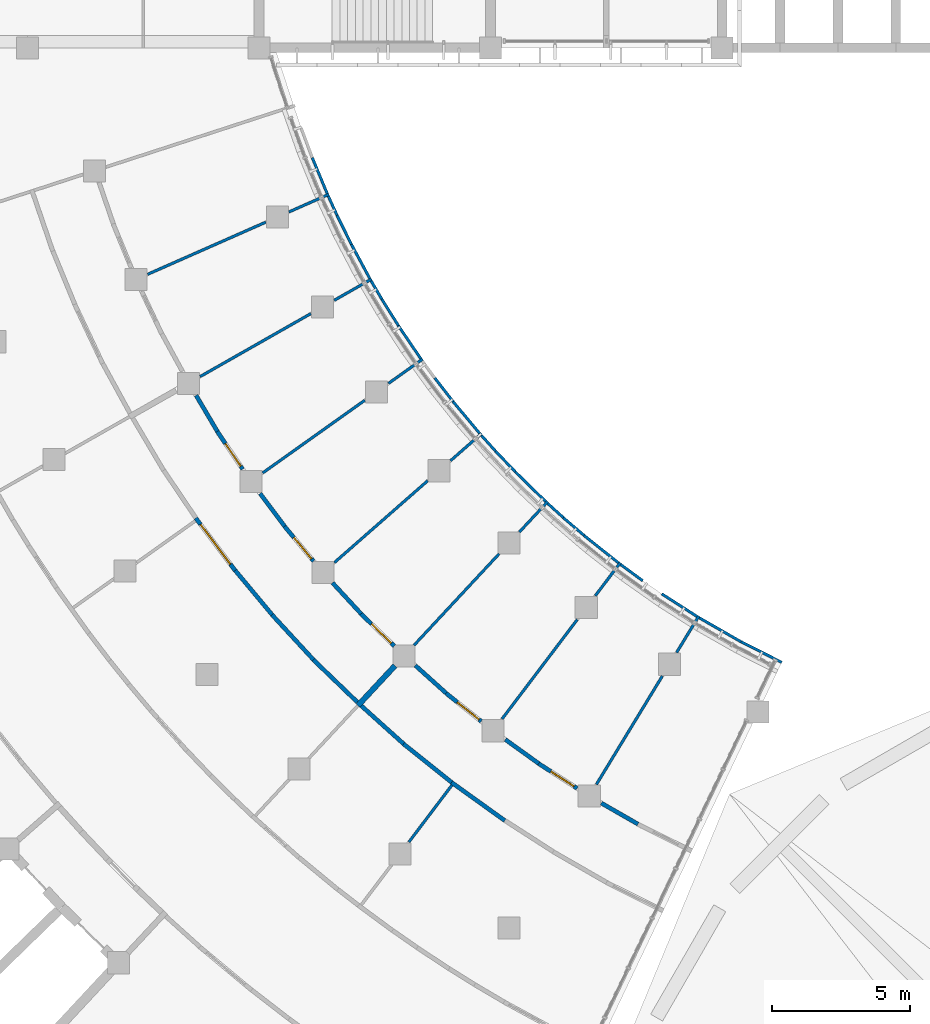
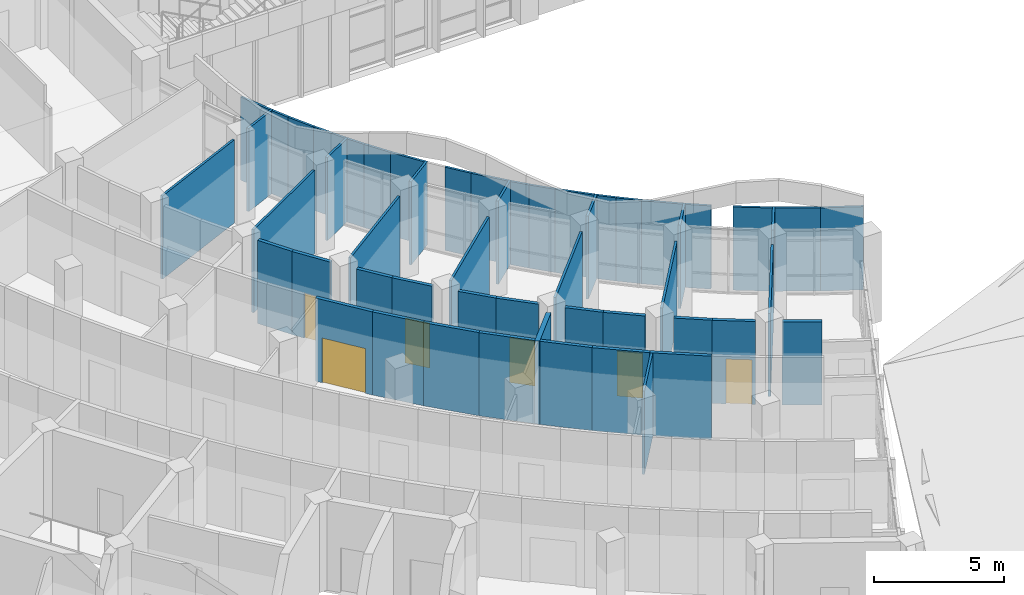
# One storey, part 72 of 137: 53 walls, 6 doors, 6 openings.
"""IFC4 building model written with IfcOpenShell, lengths in metres."""

import ifcopenshell
import ifcopenshell.guid

model = None  # the IFC model being written
_history = None  # IfcOwnerHistory: only IFC2X3 demands one
_inside = {}  # id of a spatial element -> (the spatial element, [elements in it])
_under = {}  # id of a project, library or spatial element -> (it, [spatial elements below it])
_declared = {}  # id of a project -> (the project, [libraries it declares])
_typed = {}  # id of a type object -> (the type object, [elements of that type])
_made_of = {}  # id of a material, layer set ... -> (it, [elements and type objects made of it])


def new_model(schema):
    """Start an empty IFC model of exactly this schema.

    Asked for "IFC4X3", IfcOpenShell would pick the latest addendum, in which some entities
    have other attributes; the version numbers below select the first issue.
    IFC2X3 requires an IfcOwnerHistory on every rooted entity: one is made here for all.
    """
    global model, _history
    if schema == "IFC4X3":
        model = ifcopenshell.file(schema_version=(4, 3, 0, 0))
    else:
        model = ifcopenshell.file(schema=schema)
    _inside.clear()
    _under.clear()
    _declared.clear()
    _typed.clear()
    _made_of.clear()
    _history = None
    if model.schema == "IFC2X3":
        org = make("IfcOrganization", Name="unknown")
        user = make(
            "IfcPersonAndOrganization",
            ThePerson=make("IfcPerson", FamilyName="unknown"),
            TheOrganization=org,
        )
        app = make(
            "IfcApplication",
            ApplicationDeveloper=org,
            Version="unknown",
            ApplicationFullName="unknown",
            ApplicationIdentifier="unknown",
        )
        _history = make(
            "IfcOwnerHistory",
            OwningUser=user,
            OwningApplication=app,
            ChangeAction="ADDED",
            CreationDate=0,
        )
    return model


def make(cls, **values):
    """One entity of the class cls with the attributes given. An attribute that is None is left unset."""
    return model.create_entity(
        cls, **{name: value for name, value in values.items() if value is not None}
    )


def rooted(cls, **values):
    """An entity with a GlobalId (a new one), such as an element, a storey or a relation."""
    return make(cls, GlobalId=ifcopenshell.guid.new(), OwnerHistory=_history, **values)


def si_unit(unit_type, name, prefix=None):
    """IfcSIUnit, for example si_unit("LENGTHUNIT", "METRE", prefix="MILLI")."""
    return make("IfcSIUnit", UnitType=unit_type, Prefix=prefix, Name=name)


def assignment(units):
    """IfcUnitAssignment: the units of a project."""
    return None if units is None else make("IfcUnitAssignment", Units=units)


def point(xyz):
    """IfcCartesianPoint."""
    return None if xyz is None else make("IfcCartesianPoint", Coordinates=xyz)


def direction(xyz):
    """IfcDirection."""
    return None if xyz is None else make("IfcDirection", DirectionRatios=xyz)


def frame(location, z_axis=None, x_axis=None):
    """IfcAxis2Placement3D, a coordinate frame: its origin and axes. An axis left out is left unset."""
    return make(
        "IfcAxis2Placement3D",
        Location=point(location),
        Axis=direction(z_axis),
        RefDirection=direction(x_axis),
    )


def frame_2d(location, x_axis=None):
    """IfcAxis2Placement2D, a coordinate frame in the plane: its origin and x axis."""
    return make(
        "IfcAxis2Placement2D", Location=point(location), RefDirection=direction(x_axis)
    )


def origin():
    """The frame at (0, 0, 0) with its axes left unset."""
    return frame((0.0, 0.0, 0.0))


def place(relative_to, where):
    """IfcLocalPlacement: puts the frame where relative to a parent placement (None: the world)."""
    return make(
        "IfcLocalPlacement", PlacementRelTo=relative_to, RelativePlacement=where
    )


def context(
    kind, dimensions, precision=None, world=None, true_north=None, identifier=None
):
    """IfcGeometricRepresentationContext, for example the 3D "Model" context."""
    return make(
        "IfcGeometricRepresentationContext",
        ContextIdentifier=identifier,
        ContextType=kind,
        CoordinateSpaceDimension=dimensions,
        Precision=precision,
        WorldCoordinateSystem=world,
        TrueNorth=true_north,
    )


def subcontext(parent, identifier, kind, view, scale=None):
    """IfcGeometricRepresentationSubContext, for example "Body" below "Model"."""
    return make(
        "IfcGeometricRepresentationSubContext",
        ContextIdentifier=identifier,
        ContextType=kind,
        ParentContext=parent,
        TargetScale=scale,
        TargetView=view,
    )


def project(units=None, contexts=None):
    """IfcProject with its units and contexts."""
    return rooted(
        "IfcProject",
        Name="project",
        RepresentationContexts=contexts,
        UnitsInContext=assignment(units),
    )


def spatial(cls, under=None, at=None, **own):
    """A site, building, storey or space (cls), placed at a placement, below another one or the project."""
    s = rooted(cls, ObjectPlacement=at, **own)
    if under is not None:
        _under.setdefault(under.id(), (under, []))[1].append(s)
    return s


def profile(cls, at=None, kind="AREA", **sizes):
    """A parametric profile (cls). Its sizes go by their IFC names, for example OverallWidth=200.0."""
    return make(cls, ProfileType=kind, Position=at, **sizes)


def rectangle(**sizes):
    """IfcRectangleProfileDef."""
    return profile("IfcRectangleProfileDef", **sizes)


def extrude(swept, where, along, depth):
    """IfcExtrudedAreaSolid: the profile swept, set in the frame where, extruded along a direction by depth."""
    return make(
        "IfcExtrudedAreaSolid",
        SweptArea=swept,
        Position=where,
        ExtrudedDirection=direction(along),
        Depth=depth,
    )


def shape(context_of_items, identifier, shape_type, items):
    """IfcShapeRepresentation: the items that make up one representation, for example the "Body"."""
    return make(
        "IfcShapeRepresentation",
        ContextOfItems=context_of_items,
        RepresentationIdentifier=identifier,
        RepresentationType=shape_type,
        Items=items,
    )


def material(Name=None, Category=None):
    """IfcMaterial."""
    return make("IfcMaterial", Name=Name, Category=Category)


def layer(
    of_material, thickness, ventilated=None, Name=None, Category=None, Priority=None
):
    """IfcMaterialLayer: one layer of a wall or slab, of a material (None: an air gap)."""
    return make(
        "IfcMaterialLayer",
        Material=of_material,
        LayerThickness=thickness,
        IsVentilated=ventilated,
        Name=Name,
        Category=Category,
        Priority=Priority,
    )


def layer_set(layers, Name=None):
    """IfcMaterialLayerSet."""
    return make("IfcMaterialLayerSet", MaterialLayers=layers, LayerSetName=Name)


def made_of(thing, what):
    """Note that an element or type object is made of a material, layer set ...; save() writes the relation."""
    if what is not None:
        _made_of.setdefault(what.id(), (what, []))[1].append(thing)
    return thing


def type_object(cls, material=None, **own):
    """A type object (cls), such as IfcWallType, which elements share."""
    return made_of(rooted(cls, **own), material)


def element(
    cls,
    number,
    at=None,
    inside=None,
    cuts=None,
    type_object=None,
    material=None,
    context=None,
    identifier="Body",
    shape_type=None,
    held_by="IfcProductDefinitionShape",
    body=None,
    shapes=None,
    **own,
):
    """One element of the class cls, such as IfcWall. Its Tag is "e" and its number.

    at: its placement. inside: the storey or other place that contains it. cuts: it is an
    opening in that element (IfcRelVoidsElement). A single representation is given by context,
    identifier, shape_type and body (its items); several are given by shapes. held_by: the class
    of the entity that holds the representations. save() writes the other relations.
    """
    e = rooted(cls, Tag="e%d" % number, ObjectPlacement=at, **own)
    if body is not None:
        shapes = [shape(context, identifier, shape_type, body)]
    if shapes is not None:
        e.Representation = make(held_by, Representations=shapes)
    if inside is not None:
        _inside.setdefault(inside.id(), (inside, []))[1].append(e)
    if cuts is not None:
        rooted(
            "IfcRelVoidsElement", RelatingBuildingElement=cuts, RelatedOpeningElement=e
        )
    if type_object is not None:
        _typed.setdefault(type_object.id(), (type_object, []))[1].append(e)
    return made_of(e, material)


def fill(opening, filler):
    """IfcRelFillsElement: the door or window that sits in an opening."""
    return rooted(
        "IfcRelFillsElement",
        RelatingOpeningElement=opening,
        RelatedBuildingElement=filler,
    )


def aggregate(whole, parts):
    """IfcRelAggregates: a whole, such as a stair, and the parts it consists of."""
    return rooted("IfcRelAggregates", RelatingObject=whole, RelatedObjects=parts)


def save(model, path):
    """Write the relations noted so far, then the file.

    IfcRelAggregates (storeys below a building ...), IfcRelContainedInSpatialStructure (elements
    in a storey), IfcRelDefinesByType, IfcRelAssociatesMaterial and IfcRelDeclares: one each for
    every whole, place, type object, material and project.
    """
    for whole, parts in _under.values():
        aggregate(whole, parts)
    for where, things in _inside.values():
        rooted(
            "IfcRelContainedInSpatialStructure",
            RelatedElements=things,
            RelatingStructure=where,
        )
    for kind, things in _typed.values():
        rooted("IfcRelDefinesByType", RelatedObjects=things, RelatingType=kind)
    for what, things in _made_of.values():
        rooted("IfcRelAssociatesMaterial", RelatedObjects=things, RelatingMaterial=what)
    for by, libraries in _declared.values():
        rooted("IfcRelDeclares", RelatingContext=by, RelatedDefinitions=libraries)
    model.write(path)


model = new_model("IFC4")

# Units and contexts
model_context = context("Model", 3, precision=1e-05, world=origin(), true_north=direction((0.0, 1.0)))
body_context = subcontext(model_context, "Body", "Model", "MODEL_VIEW")
ifc_project = project(units=[si_unit("LENGTHUNIT", "METRE"), si_unit("AREAUNIT", "SQUARE_METRE"), si_unit("VOLUMEUNIT", "CUBIC_METRE"), si_unit("PLANEANGLEUNIT", "RADIAN"), si_unit("MASSUNIT", "GRAM", prefix="KILO")], contexts=[model_context])

# Site, building, storey
site_placement = place(None, origin())
site = spatial("IfcSite", under=ifc_project, at=site_placement, CompositionType="ELEMENT")
building_placement = place(site_placement, origin())
building = spatial("IfcBuilding", under=site, at=building_placement, Name="Bougainvillea Quay General Hospital", CompositionType="ELEMENT")
storey_placement = place(building_placement, frame((0.0, 0.0, 16.800048828125)))
storey = spatial("IfcBuildingStorey", under=building, at=storey_placement, Name="L03", CompositionType="ELEMENT", Elevation=16.800048828125)

# Walls
ifc_material_1 = material(Name="Gypsum board partition on steel studs", Category="steel")
ifc_layer_1 = layer(ifc_material_1, 0.10009765625)
ifc_layer_set_1 = layer_set([ifc_layer_1], Name="Gypsum board partition on steel studs")
wall_type_1 = type_object("IfcWallType", Name="Partition 100 Gypsum board partition EI 30", PredefinedType="PARTITIONING", material=ifc_layer_set_1)
wall_1_placement = place(storey_placement, frame((84.418212890625, 93.260498046875, 0.0), z_axis=(0.0, 0.0, 1.0), x_axis=(0.603501117064, 0.797362152163, 0.0)))
element("IfcWall", 1, at=wall_1_placement, inside=storey, type_object=wall_type_1, Name="Partition 100 mm EI 30", PredefinedType="PARTITIONING", context=body_context, shape_type="SweptSolid", body=[
    extrude(rectangle(XDim=4.5224609375, YDim=0.10009765625, at=frame_2d((2.26123046875, 0.0))), origin(), (0.0, 0.0, 1.0), 3.89990234375),
])
wall_2_placement = place(storey_placement, frame((87.7978515625, 97.7255859375, 0.0), z_axis=(0.0, 0.0, 1.0), x_axis=(0.603534256712, 0.797337068607, 0.0)))
element("IfcWall", 2, at=wall_2_placement, inside=storey, type_object=wall_type_1, Name="Partition 100 mm EI 30", PredefinedType="PARTITIONING", context=body_context, shape_type="SweptSolid", body=[
    extrude(rectangle(XDim=1.51171875, YDim=0.10009765625, at=frame_2d((0.755859375, 0.0))), origin(), (0.0, 0.0, 1.0), 3.89990234375),
])
wall_3_placement = place(storey_placement, frame((71.561767578125, 109.38720703125, 0.0), z_axis=(0.0, 0.0, 1.0), x_axis=(0.914844742968, 0.403805765515, 0.0)))
element("IfcWall", 3, at=wall_3_placement, inside=storey, type_object=wall_type_1, Name="Partition 100 mm EI 30", PredefinedType="PARTITIONING", context=body_context, shape_type="SweptSolid", body=[
    extrude(rectangle(XDim=4.68310546875, YDim=0.10009765625, at=frame_2d((2.341552734375, 0.0))), origin(), (0.0, 0.0, 1.0), 3.89990234375),
])
wall_4_placement = place(storey_placement, frame((76.685791015625, 111.64892578125, 0.0), z_axis=(0.0, 0.0, 1.0), x_axis=(0.914802710669, 0.403900978649, 0.0)))
element("IfcWall", 4, at=wall_4_placement, inside=storey, type_object=wall_type_1, Name="Partition 100 mm EI 30", PredefinedType="PARTITIONING", context=body_context, shape_type="SweptSolid", body=[
    extrude(rectangle(XDim=1.59033203125, YDim=0.10009765625, at=frame_2d((0.795166015625, 0.0))), origin(), (0.0, 0.0, 1.0), 3.89990234375),
])
wall_5_placement = place(storey_placement, frame((78.338134765625, 98.93310546875, 0.0), z_axis=(0.0, 0.0, 1.0), x_axis=(0.751823288541, 0.659364650863, 0.0)))
element("IfcWall", 5, at=wall_5_placement, inside=storey, type_object=wall_type_1, Name="Partition 100 mm EI 30", PredefinedType="PARTITIONING", context=body_context, shape_type="SweptSolid", body=[
    extrude(rectangle(XDim=4.49951171875, YDim=0.10009765625, at=frame_2d((2.249755859375, 0.0))), origin(), (0.0, 0.0, 1.0), 3.89990234375),
])
wall_6_placement = place(storey_placement, frame((82.54931640625, 102.626220703125, 0.0), z_axis=(0.0, 0.0, 1.0), x_axis=(0.751798799024, 0.659392573347, 0.0)))
element("IfcWall", 6, at=wall_6_placement, inside=storey, type_object=wall_type_1, Name="Partition 100 mm EI 30", PredefinedType="PARTITIONING", context=body_context, shape_type="SweptSolid", body=[
    extrude(rectangle(XDim=1.498046875, YDim=0.10009765625, at=frame_2d((0.7490234375, 0.0))), origin(), (0.0, 0.0, 1.0), 3.89990234375),
])
wall_7_placement = place(storey_placement, frame((87.83984375, 90.884521484375, 0.0), z_axis=(0.0, 0.0, 1.0), x_axis=(0.519618801015, 0.854398210223, 0.0)))
element("IfcWall", 7, at=wall_7_placement, inside=storey, type_object=wall_type_1, Name="Partition 100 mm EI 30", PredefinedType="PARTITIONING", context=body_context, shape_type="SweptSolid", body=[
    extrude(rectangle(XDim=4.60302734375, YDim=0.10009765625, at=frame_2d((2.301513671875, 0.0))), origin(), (0.0, 0.0, 1.0), 3.89990234375),
])
wall_8_placement = place(storey_placement, frame((90.74951171875, 95.66845703125, 0.0), z_axis=(0.0, 0.0, 1.0), x_axis=(0.519552672181, 0.854438424247, 0.0)))
element("IfcWall", 8, at=wall_8_placement, inside=storey, type_object=wall_type_1, Name="Partition 100 mm EI 30", PredefinedType="PARTITIONING", context=body_context, shape_type="SweptSolid", body=[
    extrude(rectangle(XDim=1.552001953125, YDim=0.10009765625, at=frame_2d((0.77587890625, 0.0))), origin(), (0.0, 0.0, 1.0), 3.89990234375),
])
wall_9_placement = place(storey_placement, frame((75.736328125, 102.18310546875, 0.0), z_axis=(0.0, 0.0, 1.0), x_axis=(0.8147152487, 0.579861245072, 0.0)))
element("IfcWall", 9, at=wall_9_placement, inside=storey, type_object=wall_type_1, Name="Partition 100 mm EI 30", PredefinedType="PARTITIONING", context=body_context, shape_type="SweptSolid", body=[
    extrude(rectangle(XDim=4.548095703125, YDim=0.10009765625, at=frame_2d((2.27392578125, 0.0))), origin(), (0.0, 0.0, 1.0), 3.89990234375),
])
wall_10_placement = place(storey_placement, frame((80.29833984375, 105.430419921875, 0.0), z_axis=(0.0, 0.0, 1.0), x_axis=(0.814728250396, 0.579842977027, 0.0)))
element("IfcWall", 10, at=wall_10_placement, inside=storey, type_object=wall_type_1, Name="Partition 100 mm EI 30", PredefinedType="PARTITIONING", context=body_context, shape_type="SweptSolid", body=[
    extrude(rectangle(XDim=1.523681640625, YDim=0.10009765625, at=frame_2d((0.76171875, 0.0))), origin(), (0.0, 0.0, 1.0), 3.89990234375),
])
wall_11_placement = place(storey_placement, frame((81.22705078125, 95.935302734375, 0.0), z_axis=(0.0, 0.0, 1.0), x_axis=(0.681211440492, 0.732086725288, 0.0)))
element("IfcWall", 11, at=wall_11_placement, inside=storey, type_object=wall_type_1, Name="Partition 100 mm EI 30", PredefinedType="PARTITIONING", context=body_context, shape_type="SweptSolid", body=[
    extrude(rectangle(XDim=4.530029296875, YDim=0.10009765625, at=frame_2d((2.26513671875, 0.0))), origin(), (0.0, 0.0, 1.0), 3.89990234375),
])
wall_12_placement = place(storey_placement, frame((85.041015625, 100.034423828125, 0.0), z_axis=(0.0, 0.0, 1.0), x_axis=(0.681296599079, 0.732007475428, 0.0)))
element("IfcWall", 12, at=wall_12_placement, inside=storey, type_object=wall_type_1, Name="Partition 100 mm EI 30", PredefinedType="PARTITIONING", context=body_context, shape_type="SweptSolid", body=[
    extrude(rectangle(XDim=1.5166015625, YDim=0.10009765625, at=frame_2d((0.75830078125, 0.0))), origin(), (0.0, 0.0, 1.0), 3.89990234375),
])
wall_13_placement = place(storey_placement, frame((73.463134765625, 105.67626953125, 0.0), z_axis=(0.0, 0.0, 1.0), x_axis=(0.8692549769, 0.494364020874, 0.0)))
element("IfcWall", 13, at=wall_13_placement, inside=storey, type_object=wall_type_1, Name="Partition 100 mm EI 30", PredefinedType="PARTITIONING", context=body_context, shape_type="SweptSolid", body=[
    extrude(rectangle(XDim=4.62451171875, YDim=0.10009765625, at=frame_2d((2.312255859375, 0.0))), origin(), (0.0, 0.0, 1.0), 3.89990234375),
])
wall_14_placement = place(storey_placement, frame((78.331298828125, 108.44482421875, 0.0), z_axis=(0.0, 0.0, 1.0), x_axis=(0.869222922884, 0.494420378154, 0.0)))
element("IfcWall", 14, at=wall_14_placement, inside=storey, type_object=wall_type_1, Name="Partition 100 mm EI 30", PredefinedType="PARTITIONING", context=body_context, shape_type="SweptSolid", body=[
    extrude(rectangle(XDim=1.561279296875, YDim=0.10009765625, at=frame_2d((0.78076171875, 0.0))), origin(), (0.0, 0.0, 1.0), 3.89990234375),
])
wall_15_placement = place(storey_placement, frame((81.0380859375, 88.795654296875, 0.0), z_axis=(0.0, 0.0, 1.0), x_axis=(0.603561177332, 0.797316690668, 0.0)))
element("IfcWall", 15, at=wall_15_placement, inside=storey, type_object=wall_type_1, Name="Partition 100 mm EI 30", PredefinedType="PARTITIONING", context=body_context, shape_type="SweptSolid", body=[
    extrude(rectangle(XDim=2.58447265625, YDim=0.10009765625, at=frame_2d((1.292236328125, 0.0))), origin(), (0.0, 0.0, 1.0), 3.89990234375),
])
wall_16_placement = place(storey_placement, frame((91.572265625, 96.927734375, 0.0), z_axis=(0.0, 0.0, 1.0), x_axis=(0.867607434085, -0.497249776591, 0.0)))
element("IfcWall", 16, at=wall_16_placement, inside=storey, type_object=wall_type_1, Name="Partition 100 mm EI 30", PredefinedType="PARTITIONING", context=body_context, shape_type="SweptSolid", body=[
    extrude(rectangle(XDim=1.750732421875, YDim=0.10009765625, at=frame_2d((0.87548828125, 0.0))), origin(), (0.0, 0.0, 1.0), 3.89990234375),
])
wall_17_placement = place(storey_placement, frame((93.09033203125, 96.060302734375, 0.0), z_axis=(0.0, 0.0, 1.0), x_axis=(0.891511605142, -0.452997856393, 0.0)))
element("IfcWall", 17, at=wall_17_placement, inside=storey, type_object=wall_type_1, Name="Partition 100 mm EI 30", PredefinedType="PARTITIONING", context=body_context, shape_type="SweptSolid", body=[
    extrude(rectangle(XDim=1.65185546875, YDim=0.10009765625, at=frame_2d((0.825927734375, 0.0))), origin(), (0.0, 0.0, 1.0), 3.89990234375),
])
wall_18_placement = place(storey_placement, frame((87.390869140625, 99.916015625, 0.0), z_axis=(0.0, 0.0, 1.0), x_axis=(0.7827431138, -0.622344934742, 0.0)))
element("IfcWall", 18, at=wall_18_placement, inside=storey, type_object=wall_type_1, Name="Partition 100 mm EI 30", PredefinedType="PARTITIONING", context=body_context, shape_type="SweptSolid", body=[
    extrude(rectangle(XDim=1.59814453125, YDim=0.10009765625, at=frame_2d((0.799072265625, 0.0))), origin(), (0.0, 0.0, 1.0), 3.89990234375),
])
wall_19_placement = place(storey_placement, frame((90.2099609375, 97.798095703125, 0.0), z_axis=(0.0, 0.0, 1.0), x_axis=(0.841976481819, -0.539514229713, 0.0)))
element("IfcWall", 19, at=wall_19_placement, inside=storey, type_object=wall_type_1, Name="Partition 100 mm EI 30", PredefinedType="PARTITIONING", context=body_context, shape_type="SweptSolid", body=[
    extrude(rectangle(XDim=1.51904296875, YDim=0.10009765625, at=frame_2d((0.759521484375, 0.0))), origin(), (0.0, 0.0, 1.0), 3.89990234375),
])
wall_20_placement = place(storey_placement, frame((84.897216796875, 102.223876953125, 0.0), z_axis=(0.0, 0.0, 1.0), x_axis=(0.715491637519, -0.698621297013, 0.0)))
element("IfcWall", 20, at=wall_20_placement, inside=storey, type_object=wall_type_1, Name="Partition 100 mm EI 30", PredefinedType="PARTITIONING", context=body_context, shape_type="SweptSolid", body=[
    extrude(rectangle(XDim=1.54833984375, YDim=0.10009765625, at=frame_2d((0.774169921875, 0.0))), origin(), (0.0, 0.0, 1.0), 3.89990234375),
])
wall_21_placement = place(storey_placement, frame((82.64501953125, 104.768310546875, 0.0), z_axis=(0.0, 0.0, 1.0), x_axis=(0.641529064264, -0.767098728785, 0.0)))
element("IfcWall", 21, at=wall_21_placement, inside=storey, type_object=wall_type_1, Name="Partition 100 mm EI 30", PredefinedType="PARTITIONING", context=body_context, shape_type="SweptSolid", body=[
    extrude(rectangle(XDim=1.4990234375, YDim=0.10009765625, at=frame_2d((0.74951171875, 0.0))), origin(), (0.0, 0.0, 1.0), 3.89990234375),
])
wall_22_placement = place(storey_placement, frame((80.656982421875, 107.52734375, 0.0), z_axis=(0.0, 0.0, 1.0), x_axis=(0.561086061718, -0.827757471332, 0.0)))
element("IfcWall", 22, at=wall_22_placement, inside=storey, type_object=wall_type_1, Name="Partition 100 mm EI 30", PredefinedType="PARTITIONING", context=body_context, shape_type="SweptSolid", body=[
    extrude(rectangle(XDim=1.451904296875, YDim=0.10009765625, at=frame_2d((0.72607421875, 0.0))), origin(), (0.0, 0.0, 1.0), 3.89990234375),
])
wall_23_placement = place(storey_placement, frame((78.952392578125, 110.47802734375, 0.0), z_axis=(0.0, 0.0, 1.0), x_axis=(0.474192635092, -0.880421117889, 0.0)))
element("IfcWall", 23, at=wall_23_placement, inside=storey, type_object=wall_type_1, Name="Partition 100 mm EI 30", PredefinedType="PARTITIONING", context=body_context, shape_type="SweptSolid", body=[
    extrude(rectangle(XDim=1.41162109375, YDim=0.10009765625, at=frame_2d((0.705810546875, 0.0))), origin(), (0.0, 0.0, 1.0), 3.89990234375),
])
wall_24_placement = place(storey_placement, frame((77.535888671875, 113.6181640625, 0.0), z_axis=(0.0, 0.0, 1.0), x_axis=(0.383274532271, -0.923634469318, 0.0)))
element("IfcWall", 24, at=wall_24_placement, inside=storey, type_object=wall_type_1, Name="Partition 100 mm EI 30", PredefinedType="PARTITIONING", context=body_context, shape_type="SweptSolid", body=[
    extrude(rectangle(XDim=1.40966796875, YDim=0.10009765625, at=frame_2d((0.704833984375, 0.0))), origin(), (0.0, 0.0, 1.0), 3.89990234375),
])
wall_25_placement = place(storey_placement, frame((78.4306640625, 111.53076171875, 0.0), z_axis=(0.0, 0.0, 1.0), x_axis=(0.445137160255, -0.8954623993, 0.0)))
element("IfcWall", 25, at=wall_25_placement, inside=storey, type_object=wall_type_1, Name="Partition 100 mm EI 30", PredefinedType="PARTITIONING", context=body_context, shape_type="SweptSolid", body=[
    extrude(rectangle(XDim=1.176513671875, YDim=0.10009765625, at=frame_2d((0.58837890625, 0.0))), origin(), (0.0, 0.0, 1.0), 3.89990234375),
])
wall_26_placement = place(storey_placement, frame((80.054443359375, 108.490234375, 0.0), z_axis=(0.0, 0.0, 1.0), x_axis=(0.531657145883, -0.846959668008, 0.0)))
element("IfcWall", 26, at=wall_26_placement, inside=storey, type_object=wall_type_1, Name="Partition 100 mm EI 30", PredefinedType="PARTITIONING", context=body_context, shape_type="SweptSolid", body=[
    extrude(rectangle(XDim=1.137451171875, YDim=0.10009765625, at=frame_2d((0.56884765625, 0.0))), origin(), (0.0, 0.0, 1.0), 3.89990234375),
])
wall_27_placement = place(storey_placement, frame((81.977294921875, 105.62841796875, 0.0), z_axis=(0.0, 0.0, 1.0), x_axis=(0.61437453726, -0.78901452963, 0.0)))
element("IfcWall", 27, at=wall_27_placement, inside=storey, type_object=wall_type_1, Name="Partition 100 mm EI 30", PredefinedType="PARTITIONING", context=body_context, shape_type="SweptSolid", body=[
    extrude(rectangle(XDim=1.09033203125, YDim=0.10009765625, at=frame_2d((0.545166015625, 0.0))), origin(), (0.0, 0.0, 1.0), 3.89990234375),
])
wall_28_placement = place(storey_placement, frame((88.720947265625, 98.861083984375, 0.0), z_axis=(0.0, 0.0, 1.0), x_axis=(0.806061198055, -0.591832193269, 0.0)))
element("IfcWall", 28, at=wall_28_placement, inside=storey, type_object=wall_type_1, Name="Partition 100 mm EI 30", PredefinedType="PARTITIONING", context=body_context, shape_type="SweptSolid", body=[
    extrude(rectangle(XDim=0.99365234375, YDim=0.10009765625, at=frame_2d((0.496826171875, 0.0))), origin(), (0.0, 0.0, 1.0), 3.89990234375),
])
wall_29_placement = place(storey_placement, frame((84.180419921875, 102.97607421875, 0.0), z_axis=(0.0, 0.0, 1.0), x_axis=(0.691094804644, -0.722764118502, 0.0)))
element("IfcWall", 29, at=wall_29_placement, inside=storey, type_object=wall_type_1, Name="Partition 100 mm EI 30", PredefinedType="PARTITIONING", context=body_context, shape_type="SweptSolid", body=[
    extrude(rectangle(XDim=1.040771484375, YDim=0.10009765625, at=frame_2d((0.5205078125, 0.0))), origin(), (0.0, 0.0, 1.0), 3.89990234375),
])
wall_30_placement = place(storey_placement, frame((86.639892578125, 100.5615234375, 0.0), z_axis=(0.0, 0.0, 1.0), x_axis=(0.759638737838, -0.650345283658, 0.0)))
element("IfcWall", 30, at=wall_30_placement, inside=storey, type_object=wall_type_1, Name="Partition 100 mm EI 30", PredefinedType="PARTITIONING", context=body_context, shape_type="SweptSolid", body=[
    extrude(rectangle(XDim=0.99169921875, YDim=0.10009765625, at=frame_2d((0.495849609375, 0.0))), origin(), (0.0, 0.0, 1.0), 3.89990234375),
])
wall_31_placement = place(storey_placement, frame((78.115966796875, 112.22509765625, 0.0), z_axis=(0.0, 0.0, 1.0), x_axis=(0.414838086324, -0.909895247891, 0.0)))
element("IfcWall", 31, at=wall_31_placement, inside=storey, type_object=wall_type_1, Name="Partition 100 mm EI 30", PredefinedType="PARTITIONING", context=body_context, shape_type="SweptSolid", body=[
    extrude(rectangle(XDim=0.763916015625, YDim=0.10009765625, at=frame_2d((0.3818359375, 0.0))), origin(), (0.0, 0.0, 1.0), 3.89990234375),
])
wall_32_placement = place(storey_placement, frame((83.671875, 103.54345703125, 0.0), z_axis=(0.0, 0.0, 1.0), x_axis=(0.66903540409, -0.743230534945, 0.0)))
element("IfcWall", 32, at=wall_32_placement, inside=storey, type_object=wall_type_1, Name="Partition 100 mm EI 30", PredefinedType="PARTITIONING", context=body_context, shape_type="SweptSolid", body=[
    extrude(rectangle(XDim=0.763427734375, YDim=0.10009765625, at=frame_2d((0.3818359375, 0.0))), origin(), (0.0, 0.0, 1.0), 3.89990234375),
])
wall_33_placement = place(storey_placement, frame((79.670654296875, 109.148193359375, 0.0), z_axis=(0.0, 0.0, 1.0), x_axis=(0.505620943658, -0.862755736773, 0.0)))
element("IfcWall", 33, at=wall_33_placement, inside=storey, type_object=wall_type_1, Name="Partition 100 mm EI 30", PredefinedType="PARTITIONING", context=body_context, shape_type="SweptSolid", body=[
    extrude(rectangle(XDim=0.762939453125, YDim=0.10009765625, at=frame_2d((0.38134765625, 0.0))), origin(), (0.0, 0.0, 1.0), 3.89990234375),
])
wall_34_placement = place(storey_placement, frame((86.077392578125, 101.073974609375, 0.0), z_axis=(0.0, 0.0, 1.0), x_axis=(0.740693092669, -0.671843540173, 0.0)))
element("IfcWall", 34, at=wall_34_placement, inside=storey, type_object=wall_type_1, Name="Partition 100 mm EI 30", PredefinedType="PARTITIONING", context=body_context, shape_type="SweptSolid", body=[
    extrude(rectangle(XDim=0.762451171875, YDim=0.10009765625, at=frame_2d((0.38134765625, 0.0))), origin(), (0.0, 0.0, 1.0), 3.89990234375),
])

# Wall, opening, door
ifc_material_2 = material(Name="Gypsum board partition on steel studs, insulated", Category="steel")
ifc_layer_2 = layer(ifc_material_2, 0.14990234375)
ifc_layer_set_2 = layer_set([ifc_layer_2], Name="Gypsum board partition on steel studs, insulated")
wall_type_2 = type_object("IfcWallType", Name="Partition 150 Gypsum board partition EI 30", PredefinedType="PARTITIONING", material=ifc_layer_set_2)
wall_35_placement = place(storey_placement, frame((73.306884765625, 100.547119140625, 0.0), z_axis=(0.0, 0.0, 1.0), x_axis=(0.600377090661, -0.799717043091, 0.0)))
wall_35 = element("IfcWall", 35, at=wall_35_placement, inside=storey, type_object=wall_type_2, Name="Partition 150 mm EI 30", PredefinedType="PARTITIONING", context=body_context, shape_type="SweptSolid", body=[
    extrude(rectangle(XDim=2.382080078125, YDim=0.14990234375, at=frame_2d((1.19091796875, 0.0))), origin(), (0.0, 0.0, 1.0), 3.89990234375),
])
opening_1_placement = place(wall_35_placement, frame((0.291015625, 0.0, 0.0)))
opening_1 = element("IfcOpeningElement", 36, at=opening_1_placement, cuts=wall_35, Name="Opening L03.143", PredefinedType="OPENING", context=body_context, shape_type="SweptSolid", body=[
    extrude(rectangle(XDim=1.800048828125, YDim=2.10009765625, at=frame_2d((0.89990234375, 1.050048828125))), frame((0.0, 0.0849609375, 0.0), z_axis=(0.0, -1.0, 0.0), x_axis=(1.0, 0.0, 0.0)), (0.0, 0.0, 1.0), 0.169921875),
])
ifc_material_3 = material(Name="Solid-core timber door leaves in steel frame", Category="steel")
door_type_1 = type_object("IfcDoorType", Name="Double leaf door 1800x2100", OperationType="DOUBLE_DOOR_SINGLE_SWING", PredefinedType="DOOR", material=ifc_material_3)
door_1_placement = place(opening_1_placement, origin())
door_1 = element("IfcDoor", 37, at=door_1_placement, inside=storey, type_object=door_type_1, Name="DT08 L03.143", OperationType="DOUBLE_DOOR_SINGLE_SWING", OverallHeight=2.10009765625, OverallWidth=1.800048828125, PredefinedType="DOOR", context=body_context, shape_type="SweptSolid", body=[
    extrude(rectangle(XDim=1.800048828125, YDim=2.10009765625, at=frame_2d((0.89990234375, 1.050048828125))), frame((0.0, 0.02490234375, 0.0), z_axis=(0.0, -1.0, 0.0), x_axis=(1.0, 0.0, 0.0)), (0.0, 0.0, 1.0), 0.050048828125),
])
fill(opening_1, door_1)

# Walls
wall_36_placement = place(storey_placement, frame((82.5830078125, 90.960693359375, 0.0), z_axis=(0.0, 0.0, 1.0), x_axis=(0.812456963848, -0.583021167622, 0.0)))
element("IfcWall", 38, at=wall_36_placement, inside=storey, type_object=wall_type_2, Name="Partition 150 mm EI 30", PredefinedType="PARTITIONING", context=body_context, shape_type="SweptSolid", body=[
    extrude(rectangle(XDim=2.38134765625, YDim=0.14990234375, at=frame_2d((1.190673828125, 0.0))), origin(), (0.0, 0.0, 1.0), 3.89990234375),
])
wall_37_placement = place(storey_placement, frame((80.84130859375, 92.355712890625, 0.0), z_axis=(0.0, 0.0, 1.0), x_axis=(0.781561025488, -0.62382879337, 0.0)))
element("IfcWall", 39, at=wall_37_placement, inside=storey, type_object=wall_type_2, Name="Partition 150 mm EI 30", PredefinedType="PARTITIONING", context=body_context, shape_type="SweptSolid", body=[
    extrude(rectangle(XDim=2.235107421875, YDim=0.14990234375, at=frame_2d((1.11767578125, 0.0))), origin(), (0.0, 0.0, 1.0), 3.89990234375),
])
wall_38_placement = place(storey_placement, frame((77.5791015625, 95.39990234375, 0.0), z_axis=(0.0, 0.0, 1.0), x_axis=(0.720594722174, -0.693356507415, 0.0)))
element("IfcWall", 40, at=wall_38_placement, inside=storey, type_object=wall_type_2, Name="Partition 150 mm EI 30", PredefinedType="PARTITIONING", context=body_context, shape_type="SweptSolid", body=[
    extrude(rectangle(XDim=2.204833984375, YDim=0.14990234375, at=frame_2d((1.1025390625, 0.0))), origin(), (0.0, 0.0, 1.0), 3.89990234375),
])
wall_39_placement = place(storey_placement, frame((76.069091796875, 97.043212890625, 0.0), z_axis=(0.0, 0.0, 1.0), x_axis=(0.678030610295, -0.735033666918, 0.0)))
element("IfcWall", 41, at=wall_39_placement, inside=storey, type_object=wall_type_2, Name="Partition 150 mm EI 30", PredefinedType="PARTITIONING", context=body_context, shape_type="SweptSolid", body=[
    extrude(rectangle(XDim=2.235595703125, YDim=0.14990234375, at=frame_2d((1.11767578125, 0.0))), origin(), (0.0, 0.0, 1.0), 3.89990234375),
])
wall_40_placement = place(storey_placement, frame((79.31640625, 93.7333984375, 0.0), z_axis=(0.0, 0.0, 1.0), x_axis=(0.74346507851, -0.668774758073, 0.0)))
element("IfcWall", 42, at=wall_40_placement, inside=storey, type_object=wall_type_2, Name="Partition 150 mm EI 30", PredefinedType="PARTITIONING", context=body_context, shape_type="SweptSolid", body=[
    extrude(rectangle(XDim=2.059326171875, YDim=0.14990234375, at=frame_2d((1.02978515625, 0.0))), origin(), (0.0, 0.0, 1.0), 3.89990234375),
])
wall_41_placement = place(storey_placement, frame((74.73779296875, 98.647216796875, 0.0), z_axis=(0.0, 0.0, 1.0), x_axis=(0.640000381719, -0.768374590548, 0.0)))
element("IfcWall", 43, at=wall_41_placement, inside=storey, type_object=wall_type_2, Name="Partition 150 mm EI 30", PredefinedType="PARTITIONING", context=body_context, shape_type="SweptSolid", body=[
    extrude(rectangle(XDim=2.088134765625, YDim=0.14990234375, at=frame_2d((1.0439453125, 0.0))), origin(), (0.0, 0.0, 1.0), 3.89990234375),
])

# Wall, opening, door
wall_42_placement = place(storey_placement, frame((74.086181640625, 103.690185546875, 0.0), z_axis=(0.0, 0.0, 1.0), x_axis=(0.558985889655, -0.829177167538, 0.0)))
wall_42 = element("IfcWall", 44, at=wall_42_placement, inside=storey, type_object=wall_type_2, Name="Partition 150 mm EI 30", PredefinedType="PARTITIONING", context=body_context, shape_type="SweptSolid", body=[
    extrude(rectangle(XDim=1.653564453125, YDim=0.14990234375, at=frame_2d((0.82666015625, 0.0))), origin(), (0.0, 0.0, 1.0), 3.89990234375),
])
opening_2_placement = place(wall_42_placement, frame((0.5302734375, 0.0, 0.0)))
opening_2 = element("IfcOpeningElement", 45, at=opening_2_placement, cuts=wall_42, Name="Opening L03.178", PredefinedType="OPENING", context=body_context, shape_type="SweptSolid", body=[
    extrude(rectangle(XDim=1.0, YDim=2.10009765625, at=frame_2d((0.5, 1.050048828125))), frame((0.0, 0.0849609375, 0.0), z_axis=(0.0, -1.0, 0.0), x_axis=(1.0, 0.0, 0.0)), (0.0, 0.0, 1.0), 0.169921875),
])
ifc_material_4 = material(Name="Solid-core timber door leaf in steel frame", Category="steel")
door_type_2 = type_object("IfcDoorType", Name="Single leaf door 1000x2100 FD30S", OperationType="NOTDEFINED", PredefinedType="DOOR", material=ifc_material_4)
door_2_placement = place(opening_2_placement, origin())
door_2 = element("IfcDoor", 46, at=door_2_placement, inside=storey, type_object=door_type_2, Name="DT15 L03.178", OperationType="SINGLE_SWING_RIGHT", OverallHeight=2.10009765625, OverallWidth=1.0, PredefinedType="DOOR", context=body_context, shape_type="SweptSolid", body=[
    extrude(rectangle(XDim=1.0, YDim=2.10009765625, at=frame_2d((0.5, 1.050048828125))), frame((0.0, 0.02490234375, 0.0), z_axis=(0.0, -1.0, 0.0), x_axis=(1.0, 0.0, 0.0)), (0.0, 0.0, 1.0), 0.050048828125),
])
fill(opening_2, door_2)

wall_43_placement = place(storey_placement, frame((82.384521484375, 94.19384765625, 0.0), z_axis=(0.0, 0.0, 1.0), x_axis=(0.781756052881, -0.623584375833, 0.0)))
wall_43 = element("IfcWall", 47, at=wall_43_placement, inside=storey, type_object=wall_type_2, Name="Partition 150 mm EI 30", PredefinedType="PARTITIONING", context=body_context, shape_type="SweptSolid", body=[
    extrude(rectangle(XDim=1.63623046875, YDim=0.14990234375, at=frame_2d((0.818115234375, 0.0))), origin(), (0.0, 0.0, 1.0), 3.89990234375),
])
opening_3_placement = place(wall_43_placement, frame((0.5302734375, 0.0, 0.0)))
opening_3 = element("IfcOpeningElement", 48, at=opening_3_placement, cuts=wall_43, Name="Opening L03.174", PredefinedType="OPENING", context=body_context, shape_type="SweptSolid", body=[
    extrude(rectangle(XDim=1.0, YDim=2.10009765625, at=frame_2d((0.5, 1.050048828125))), frame((0.0, 0.0849609375, 0.0), z_axis=(0.0, -1.0, 0.0), x_axis=(1.0, 0.0, 0.0)), (0.0, 0.0, 1.0), 0.169921875),
])
door_3_placement = place(opening_3_placement, origin())
door_3 = element("IfcDoor", 49, at=door_3_placement, inside=storey, type_object=door_type_2, Name="DT15 L03.174", OperationType="SINGLE_SWING_RIGHT", OverallHeight=2.10009765625, OverallWidth=1.0, PredefinedType="DOOR", context=body_context, shape_type="SweptSolid", body=[
    extrude(rectangle(XDim=1.0, YDim=2.10009765625, at=frame_2d((0.5, 1.050048828125))), frame((0.0, 0.02490234375, 0.0), z_axis=(0.0, -1.0, 0.0), x_axis=(1.0, 0.0, 0.0)), (0.0, 0.0, 1.0), 0.050048828125),
])
fill(opening_3, door_3)

wall_44_placement = place(storey_placement, frame((85.743896484375, 91.6416015625, 0.0), z_axis=(0.0, 0.0, 1.0), x_axis=(0.840848932624, -0.54126987031, 0.0)))
wall_44 = element("IfcWall", 50, at=wall_44_placement, inside=storey, type_object=wall_type_2, Name="Partition 150 mm EI 30", PredefinedType="PARTITIONING", context=body_context, shape_type="SweptSolid", body=[
    extrude(rectangle(XDim=1.66162109375, YDim=0.14990234375, at=frame_2d((0.830810546875, 0.0))), origin(), (0.0, 0.0, 1.0), 3.89990234375),
])
opening_4_placement = place(wall_44_placement, frame((0.52978515625, 0.0, 0.0)))
opening_4 = element("IfcOpeningElement", 51, at=opening_4_placement, cuts=wall_44, Name="Opening L03.173", PredefinedType="OPENING", context=body_context, shape_type="SweptSolid", body=[
    extrude(rectangle(XDim=1.0, YDim=2.10009765625, at=frame_2d((0.5, 1.050048828125))), frame((0.0, 0.0849609375, 0.0), z_axis=(0.0, -1.0, 0.0), x_axis=(1.0, 0.0, 0.0)), (0.0, 0.0, 1.0), 0.169921875),
])
door_4_placement = place(opening_4_placement, origin())
door_4 = element("IfcDoor", 52, at=door_4_placement, inside=storey, type_object=door_type_2, Name="DT15 L03.173", OperationType="SINGLE_SWING_RIGHT", OverallHeight=2.10009765625, OverallWidth=1.0, PredefinedType="DOOR", context=body_context, shape_type="SweptSolid", body=[
    extrude(rectangle(XDim=1.0, YDim=2.10009765625, at=frame_2d((0.5, 1.050048828125))), frame((0.0, 0.02490234375, 0.0), z_axis=(0.0, -1.0, 0.0), x_axis=(1.0, 0.0, 0.0)), (0.0, 0.0, 1.0), 0.050048828125),
])
fill(opening_4, door_4)

wall_45_placement = place(storey_placement, frame((79.301025390625, 97.072021484375, 0.0), z_axis=(0.0, 0.0, 1.0), x_axis=(0.720465115712, -0.69349118022, 0.0)))
wall_45 = element("IfcWall", 53, at=wall_45_placement, inside=storey, type_object=wall_type_2, Name="Partition 150 mm EI 30", PredefinedType="PARTITIONING", context=body_context, shape_type="SweptSolid", body=[
    extrude(rectangle(XDim=1.68359375, YDim=0.14990234375, at=frame_2d((0.841796875, 0.0))), origin(), (0.0, 0.0, 1.0), 3.89990234375),
])
opening_5_placement = place(wall_45_placement, frame((0.52978515625, 0.0, 0.0)))
opening_5 = element("IfcOpeningElement", 54, at=opening_5_placement, cuts=wall_45, Name="Opening L03.176", PredefinedType="OPENING", context=body_context, shape_type="SweptSolid", body=[
    extrude(rectangle(XDim=1.0, YDim=2.10009765625, at=frame_2d((0.5, 1.050048828125))), frame((0.0, 0.0849609375, 0.0), z_axis=(0.0, -1.0, 0.0), x_axis=(1.0, 0.0, 0.0)), (0.0, 0.0, 1.0), 0.169921875),
])
door_5_placement = place(opening_5_placement, origin())
door_5 = element("IfcDoor", 55, at=door_5_placement, inside=storey, type_object=door_type_2, Name="DT15 L03.176", OperationType="SINGLE_SWING_RIGHT", OverallHeight=2.10009765625, OverallWidth=1.0, PredefinedType="DOOR", context=body_context, shape_type="SweptSolid", body=[
    extrude(rectangle(XDim=1.0, YDim=2.10009765625, at=frame_2d((0.5, 1.050048828125))), frame((0.0, 0.02490234375, 0.0), z_axis=(0.0, -1.0, 0.0), x_axis=(1.0, 0.0, 0.0)), (0.0, 0.0, 1.0), 0.050048828125),
])
fill(opening_5, door_5)

# Walls
wall_46_placement = place(storey_placement, frame((84.535888671875, 92.51318359375, 0.0), z_axis=(0.0, 0.0, 1.0), x_axis=(0.81243891359, -0.583046320359, 0.0)))
element("IfcWall", 56, at=wall_46_placement, inside=storey, type_object=wall_type_2, Name="Partition 150 mm EI 30", PredefinedType="PARTITIONING", context=body_context, shape_type="SweptSolid", body=[
    extrude(rectangle(XDim=1.4931640625, YDim=0.14990234375, at=frame_2d((0.74658203125, 0.0))), origin(), (0.0, 0.0, 1.0), 3.89990234375),
])
wall_47_placement = place(storey_placement, frame((78.27001953125, 98.1953125, 0.0), z_axis=(0.0, 0.0, 1.0), x_axis=(0.678273469528, -0.73480956753, 0.0)))
element("IfcWall", 57, at=wall_47_placement, inside=storey, type_object=wall_type_2, Name="Partition 150 mm EI 30", PredefinedType="PARTITIONING", context=body_context, shape_type="SweptSolid", body=[
    extrude(rectangle(XDim=1.528564453125, YDim=0.14990234375, at=frame_2d((0.76416015625, 0.0))), origin(), (0.0, 0.0, 1.0), 3.89990234375),
])

# Wall, opening, door
wall_48_placement = place(storey_placement, frame((76.52587890625, 100.24853515625, 0.0), z_axis=(0.0, 0.0, 1.0), x_axis=(0.640038659854, -0.768342706019, 0.0)))
wall_48 = element("IfcWall", 58, at=wall_48_placement, inside=storey, type_object=wall_type_2, Name="Partition 150 mm EI 30", PredefinedType="PARTITIONING", context=body_context, shape_type="SweptSolid", body=[
    extrude(rectangle(XDim=1.64794921875, YDim=0.14990234375, at=frame_2d((0.823974609375, 0.0))), origin(), (0.0, 0.0, 1.0), 3.89990234375),
])
opening_6_placement = place(wall_48_placement, frame((0.52978515625, 0.0, 0.0)))
opening_6 = element("IfcOpeningElement", 59, at=opening_6_placement, cuts=wall_48, Name="Opening L03.177", PredefinedType="OPENING", context=body_context, shape_type="SweptSolid", body=[
    extrude(rectangle(XDim=1.0, YDim=2.10009765625, at=frame_2d((0.5, 1.050048828125))), frame((0.0, 0.0849609375, 0.0), z_axis=(0.0, -1.0, 0.0), x_axis=(1.0, 0.0, 0.0)), (0.0, 0.0, 1.0), 0.169921875),
])
door_6_placement = place(opening_6_placement, origin())
door_6 = element("IfcDoor", 60, at=door_6_placement, inside=storey, type_object=door_type_2, Name="DT15 L03.177", OperationType="SINGLE_SWING_RIGHT", OverallHeight=2.10009765625, OverallWidth=1.0, PredefinedType="DOOR", context=body_context, shape_type="SweptSolid", body=[
    extrude(rectangle(XDim=1.0, YDim=2.10009765625, at=frame_2d((0.5, 1.050048828125))), frame((0.0, 0.02490234375, 0.0), z_axis=(0.0, -1.0, 0.0), x_axis=(1.0, 0.0, 0.0)), (0.0, 0.0, 1.0), 0.050048828125),
])
fill(opening_6, door_6)

# Walls
wall_49_placement = place(storey_placement, frame((73.3193359375, 104.99658203125, 0.0), z_axis=(0.0, 0.0, 1.0), x_axis=(0.508740142918, -0.86092012811, 0.0)))
element("IfcWall", 61, at=wall_49_placement, inside=storey, type_object=wall_type_2, Name="Partition 150 mm EI 30", PredefinedType="PARTITIONING", context=body_context, shape_type="SweptSolid", body=[
    extrude(rectangle(XDim=1.518798828125, YDim=0.14990234375, at=frame_2d((0.75927734375, 0.0))), origin(), (0.0, 0.0, 1.0), 3.89990234375),
])
wall_50_placement = place(storey_placement, frame((75.641357421875, 101.433837890625, 0.0), z_axis=(0.0, 0.0, 1.0), x_axis=(0.60023710435, -0.799822116825, 0.0)))
element("IfcWall", 62, at=wall_50_placement, inside=storey, type_object=wall_type_2, Name="Partition 150 mm EI 30", PredefinedType="PARTITIONING", context=body_context, shape_type="SweptSolid", body=[
    extrude(rectangle(XDim=1.482666015625, YDim=0.14990234375, at=frame_2d((0.7412109375, 0.0))), origin(), (0.0, 0.0, 1.0), 3.89990234375),
])
wall_51_placement = place(storey_placement, frame((88.017578125, 90.20849609375, 0.0), z_axis=(0.0, 0.0, 1.0), x_axis=(0.867174234795, -0.498004865947, 0.0)))
element("IfcWall", 63, at=wall_51_placement, inside=storey, type_object=wall_type_2, Name="Partition 150 mm EI 30", PredefinedType="PARTITIONING", context=body_context, shape_type="SweptSolid", body=[
    extrude(rectangle(XDim=1.534912109375, YDim=0.14990234375, at=frame_2d((0.767578125, 0.0))), origin(), (0.0, 0.0, 1.0), 3.89990234375),
])
wall_52_placement = place(storey_placement, frame((81.2734375, 95.19873046875, 0.0), z_axis=(0.0, 0.0, 1.0), x_axis=(0.743576936712, -0.668650386368, 0.0)))
element("IfcWall", 64, at=wall_52_placement, inside=storey, type_object=wall_type_2, Name="Partition 150 mm EI 30", PredefinedType="PARTITIONING", context=body_context, shape_type="SweptSolid", body=[
    extrude(rectangle(XDim=1.502197265625, YDim=0.14990234375, at=frame_2d((0.7509765625, 0.0))), origin(), (0.0, 0.0, 1.0), 3.89990234375),
])
ifc_material_5 = material(Name="Fire-rated autoclaved aerated block wall, plastered")
ifc_layer_3 = layer(ifc_material_5, 0.199951171875)
ifc_layer_set_3 = layer_set([ifc_layer_3], Name="Fire-rated autoclaved aerated block wall, plastered")
wall_type_3 = type_object("IfcWallType", Name="Partition 200 Fire-rated autoclaved aerated block wall EI 120", PredefinedType="SOLIDWALL", material=ifc_layer_set_3)
wall_53_placement = place(storey_placement, frame((79.18994140625, 93.74609375, 0.0), z_axis=(0.0, 0.0, 1.0), x_axis=(0.681171780306, 0.732123627344, 0.0)))
element("IfcWall", 65, at=wall_53_placement, inside=storey, type_object=wall_type_3, Name="Partition 200 mm EI 120", PredefinedType="SOLIDWALL", context=body_context, shape_type="SweptSolid", body=[
    extrude(rectangle(XDim=1.97412109375, YDim=0.199951171875, at=frame_2d((0.987060546875, 0.0))), origin(), (0.0, 0.0, 1.0), 3.89990234375),
])

save(model, "model.ifc")
